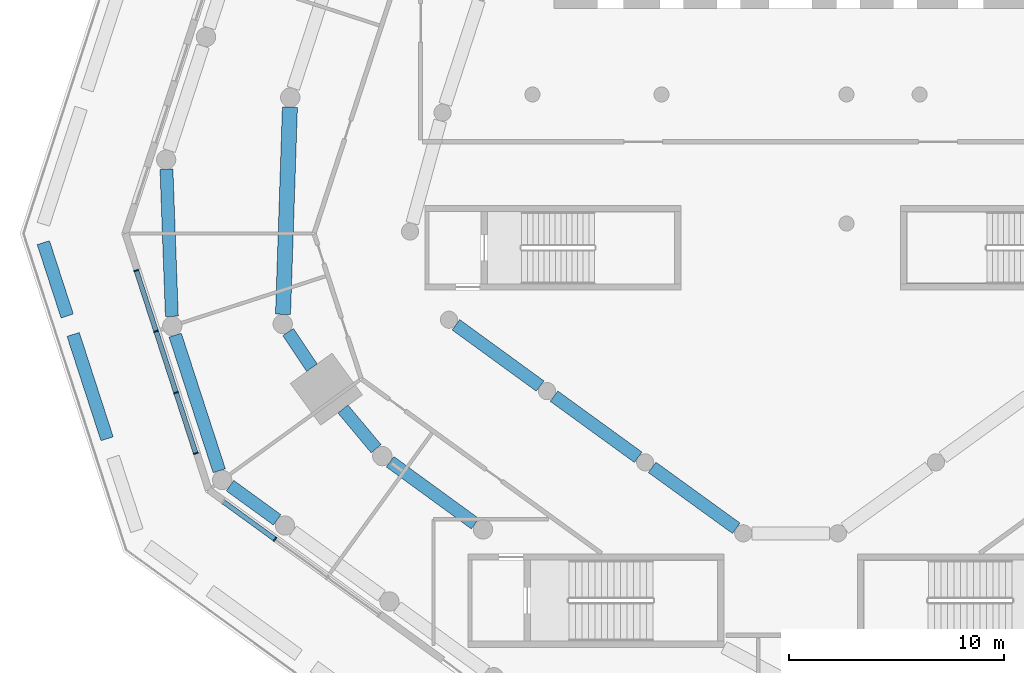
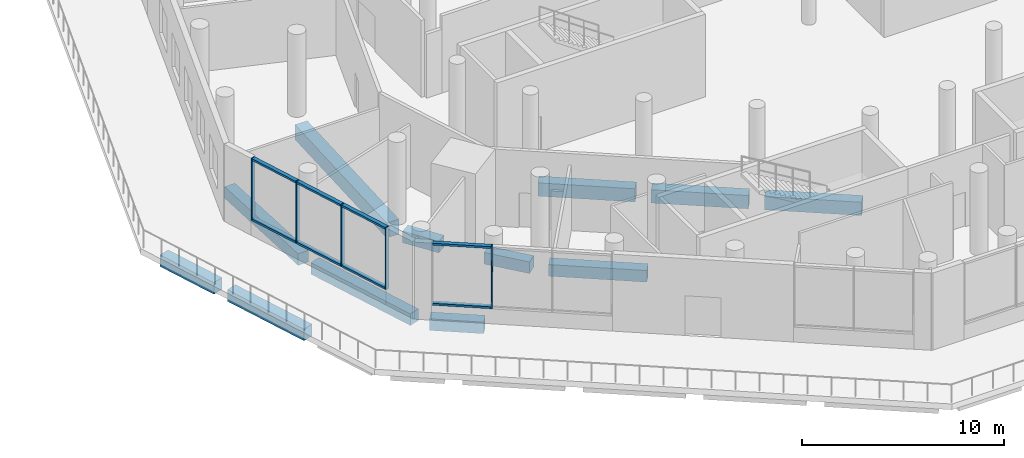
# One storey, part 3 of 19: 13 members, 12 beams, 2 elements without a shape of their own.
"""IFC4 building model written with IfcOpenShell, lengths in metres."""

import ifcopenshell
import ifcopenshell.guid

model = None  # the IFC model being written
_history = None  # IfcOwnerHistory: only IFC2X3 demands one
_inside = {}  # id of a spatial element -> (the spatial element, [elements in it])
_under = {}  # id of a project, library or spatial element -> (it, [spatial elements below it])
_declared = {}  # id of a project -> (the project, [libraries it declares])
_typed = {}  # id of a type object -> (the type object, [elements of that type])
_made_of = {}  # id of a material, layer set ... -> (it, [elements and type objects made of it])


def new_model(schema):
    """Start an empty IFC model of exactly this schema.

    Asked for "IFC4X3", IfcOpenShell would pick the latest addendum, in which some entities
    have other attributes; the version numbers below select the first issue.
    IFC2X3 requires an IfcOwnerHistory on every rooted entity: one is made here for all.
    """
    global model, _history
    if schema == "IFC4X3":
        model = ifcopenshell.file(schema_version=(4, 3, 0, 0))
    else:
        model = ifcopenshell.file(schema=schema)
    _inside.clear()
    _under.clear()
    _declared.clear()
    _typed.clear()
    _made_of.clear()
    _history = None
    if model.schema == "IFC2X3":
        org = make("IfcOrganization", Name="unknown")
        user = make(
            "IfcPersonAndOrganization",
            ThePerson=make("IfcPerson", FamilyName="unknown"),
            TheOrganization=org,
        )
        app = make(
            "IfcApplication",
            ApplicationDeveloper=org,
            Version="unknown",
            ApplicationFullName="unknown",
            ApplicationIdentifier="unknown",
        )
        _history = make(
            "IfcOwnerHistory",
            OwningUser=user,
            OwningApplication=app,
            ChangeAction="ADDED",
            CreationDate=0,
        )
    return model


def make(cls, **values):
    """One entity of the class cls with the attributes given. An attribute that is None is left unset."""
    return model.create_entity(
        cls, **{name: value for name, value in values.items() if value is not None}
    )


def rooted(cls, **values):
    """An entity with a GlobalId (a new one), such as an element, a storey or a relation."""
    return make(cls, GlobalId=ifcopenshell.guid.new(), OwnerHistory=_history, **values)


def si_unit(unit_type, name, prefix=None):
    """IfcSIUnit, for example si_unit("LENGTHUNIT", "METRE", prefix="MILLI")."""
    return make("IfcSIUnit", UnitType=unit_type, Prefix=prefix, Name=name)


def assignment(units):
    """IfcUnitAssignment: the units of a project."""
    return None if units is None else make("IfcUnitAssignment", Units=units)


def point(xyz):
    """IfcCartesianPoint."""
    return None if xyz is None else make("IfcCartesianPoint", Coordinates=xyz)


def direction(xyz):
    """IfcDirection."""
    return None if xyz is None else make("IfcDirection", DirectionRatios=xyz)


def frame(location, z_axis=None, x_axis=None):
    """IfcAxis2Placement3D, a coordinate frame: its origin and axes. An axis left out is left unset."""
    return make(
        "IfcAxis2Placement3D",
        Location=point(location),
        Axis=direction(z_axis),
        RefDirection=direction(x_axis),
    )


def frame_2d(location, x_axis=None):
    """IfcAxis2Placement2D, a coordinate frame in the plane: its origin and x axis."""
    return make(
        "IfcAxis2Placement2D", Location=point(location), RefDirection=direction(x_axis)
    )


def origin():
    """The frame at (0, 0, 0) with its axes left unset."""
    return frame((0.0, 0.0, 0.0))


def origin_2d():
    """The frame at (0, 0) in the plane with its x axis left unset."""
    return frame_2d((0.0, 0.0))


def place(relative_to, where):
    """IfcLocalPlacement: puts the frame where relative to a parent placement (None: the world)."""
    return make(
        "IfcLocalPlacement", PlacementRelTo=relative_to, RelativePlacement=where
    )


def context(
    kind, dimensions, precision=None, world=None, true_north=None, identifier=None
):
    """IfcGeometricRepresentationContext, for example the 3D "Model" context."""
    return make(
        "IfcGeometricRepresentationContext",
        ContextIdentifier=identifier,
        ContextType=kind,
        CoordinateSpaceDimension=dimensions,
        Precision=precision,
        WorldCoordinateSystem=world,
        TrueNorth=true_north,
    )


def subcontext(parent, identifier, kind, view, scale=None):
    """IfcGeometricRepresentationSubContext, for example "Body" below "Model"."""
    return make(
        "IfcGeometricRepresentationSubContext",
        ContextIdentifier=identifier,
        ContextType=kind,
        ParentContext=parent,
        TargetScale=scale,
        TargetView=view,
    )


def project(units=None, contexts=None):
    """IfcProject with its units and contexts."""
    return rooted(
        "IfcProject",
        Name="project",
        RepresentationContexts=contexts,
        UnitsInContext=assignment(units),
    )


def spatial(cls, under=None, at=None, **own):
    """A site, building, storey or space (cls), placed at a placement, below another one or the project."""
    s = rooted(cls, ObjectPlacement=at, **own)
    if under is not None:
        _under.setdefault(under.id(), (under, []))[1].append(s)
    return s


def profile(cls, at=None, kind="AREA", **sizes):
    """A parametric profile (cls). Its sizes go by their IFC names, for example OverallWidth=200.0."""
    return make(cls, ProfileType=kind, Position=at, **sizes)


def rectangle(**sizes):
    """IfcRectangleProfileDef."""
    return profile("IfcRectangleProfileDef", **sizes)


def extrude(swept, where, along, depth):
    """IfcExtrudedAreaSolid: the profile swept, set in the frame where, extruded along a direction by depth."""
    return make(
        "IfcExtrudedAreaSolid",
        SweptArea=swept,
        Position=where,
        ExtrudedDirection=direction(along),
        Depth=depth,
    )


def shape(context_of_items, identifier, shape_type, items):
    """IfcShapeRepresentation: the items that make up one representation, for example the "Body"."""
    return make(
        "IfcShapeRepresentation",
        ContextOfItems=context_of_items,
        RepresentationIdentifier=identifier,
        RepresentationType=shape_type,
        Items=items,
    )


def material(Name=None, Category=None):
    """IfcMaterial."""
    return make("IfcMaterial", Name=Name, Category=Category)


def material_profile(
    of_material, cross_section, Name=None, Category=None, Priority=None
):
    """IfcMaterialProfile: a cross section and its material."""
    return make(
        "IfcMaterialProfile",
        Name=Name,
        Material=of_material,
        Profile=cross_section,
        Priority=Priority,
        Category=Category,
    )


def profile_set(profiles, Name=None, composite=None):
    """IfcMaterialProfileSet."""
    return make(
        "IfcMaterialProfileSet",
        Name=Name,
        MaterialProfiles=profiles,
        CompositeProfile=composite,
    )


def made_of(thing, what):
    """Note that an element or type object is made of a material, layer set ...; save() writes the relation."""
    if what is not None:
        _made_of.setdefault(what.id(), (what, []))[1].append(thing)
    return thing


def type_object(cls, material=None, **own):
    """A type object (cls), such as IfcWallType, which elements share."""
    return made_of(rooted(cls, **own), material)


def element(
    cls,
    number,
    at=None,
    inside=None,
    cuts=None,
    type_object=None,
    material=None,
    context=None,
    identifier="Body",
    shape_type=None,
    held_by="IfcProductDefinitionShape",
    body=None,
    shapes=None,
    **own,
):
    """One element of the class cls, such as IfcWall. Its Tag is "e" and its number.

    at: its placement. inside: the storey or other place that contains it. cuts: it is an
    opening in that element (IfcRelVoidsElement). A single representation is given by context,
    identifier, shape_type and body (its items); several are given by shapes. held_by: the class
    of the entity that holds the representations. save() writes the other relations.
    """
    e = rooted(cls, Tag="e%d" % number, ObjectPlacement=at, **own)
    if body is not None:
        shapes = [shape(context, identifier, shape_type, body)]
    if shapes is not None:
        e.Representation = make(held_by, Representations=shapes)
    if inside is not None:
        _inside.setdefault(inside.id(), (inside, []))[1].append(e)
    if cuts is not None:
        rooted(
            "IfcRelVoidsElement", RelatingBuildingElement=cuts, RelatedOpeningElement=e
        )
    if type_object is not None:
        _typed.setdefault(type_object.id(), (type_object, []))[1].append(e)
    return made_of(e, material)


def aggregate(whole, parts):
    """IfcRelAggregates: a whole, such as a stair, and the parts it consists of."""
    return rooted("IfcRelAggregates", RelatingObject=whole, RelatedObjects=parts)


def save(model, path):
    """Write the relations noted so far, then the file.

    IfcRelAggregates (storeys below a building ...), IfcRelContainedInSpatialStructure (elements
    in a storey), IfcRelDefinesByType, IfcRelAssociatesMaterial and IfcRelDeclares: one each for
    every whole, place, type object, material and project.
    """
    for whole, parts in _under.values():
        aggregate(whole, parts)
    for where, things in _inside.values():
        rooted(
            "IfcRelContainedInSpatialStructure",
            RelatedElements=things,
            RelatingStructure=where,
        )
    for kind, things in _typed.values():
        rooted("IfcRelDefinesByType", RelatedObjects=things, RelatingType=kind)
    for what, things in _made_of.values():
        rooted("IfcRelAssociatesMaterial", RelatedObjects=things, RelatingMaterial=what)
    for by, libraries in _declared.values():
        rooted("IfcRelDeclares", RelatingContext=by, RelatedDefinitions=libraries)
    model.write(path)


model = new_model("IFC4")

# Units and contexts
model_context = context("Model", 3, precision=1e-05, world=origin(), true_north=direction((0.0, 1.0)))
body_context = subcontext(model_context, "Body", "Model", "MODEL_VIEW")
ifc_project = project(units=[si_unit("LENGTHUNIT", "METRE"), si_unit("AREAUNIT", "SQUARE_METRE"), si_unit("VOLUMEUNIT", "CUBIC_METRE"), si_unit("PLANEANGLEUNIT", "RADIAN"), si_unit("MASSUNIT", "GRAM", prefix="KILO")], contexts=[model_context])

# Site, building, storey
site_placement = place(None, origin())
site = spatial("IfcSite", under=ifc_project, at=site_placement, CompositionType="ELEMENT")
building_placement = place(site_placement, origin())
building = spatial("IfcBuilding", under=site, at=building_placement, Name="White Candle Pilgrim Tower", CompositionType="ELEMENT")
storey_placement = place(building_placement, frame((0.0, 0.0, 29.0)))
storey = spatial("IfcBuildingStorey", under=building, at=storey_placement, Name="L04", CompositionType="ELEMENT", Elevation=29.0)

# Curtain wall, members
ifc_material_1 = material(Name="Aluminium and glass", Category="aluminium")
curtain_wall_type = type_object("IfcCurtainWallType", Name="Curtain wall CW3 refectory and meeting glazing", PredefinedType="NOTDEFINED", material=ifc_material_1)
curtain_wall_1_placement = place(storey_placement, origin())
curtain_wall_1 = element("IfcCurtainWall", 1, at=curtain_wall_1_placement, inside=storey, type_object=curtain_wall_type, Name="Curtain wall CW3 L04 W chamfer", PredefinedType="NOTDEFINED")
ifc_material_2 = material(Name="Aluminium", Category="aluminium")
ifc_material_profile_1 = material_profile(ifc_material_2, rectangle(XDim=0.22509765625, YDim=0.06005859375, at=origin_2d()), Name="CW3 mullion 60x225")
ifc_profile_set_1 = profile_set([ifc_material_profile_1], Name="Aluminium")
member_type_1 = type_object("IfcMemberType", Name="CW3 mullion 60x225", PredefinedType="MULLION", material=ifc_profile_set_1)
member_1_placement = place(storey_placement, frame((39.58642578125, 58.818115234375, 0.89990234375), z_axis=(0.0, 0.0, 1.0), x_axis=(0.951056528258, 0.309016957558, 0.0)))
member_1 = element("IfcMember", 2, at=member_1_placement, type_object=member_type_1, Name="CW3 mullion 1", PredefinedType="MULLION", context=body_context, shape_type="SweptSolid", body=[
    extrude(rectangle(XDim=0.22509765625, YDim=0.06005859375, at=origin_2d()), origin(), (0.0, 0.0, 1.0), 3.75),
])
member_2_placement = place(storey_placement, frame((40.504150390625, 55.993408203125, 0.89990234375), z_axis=(0.0, 0.0, 1.0), x_axis=(0.951056528258, 0.309016957558, 0.0)))
member_2 = element("IfcMember", 3, at=member_2_placement, type_object=member_type_1, Name="CW3 mullion 2", PredefinedType="MULLION", context=body_context, shape_type="SweptSolid", body=[
    extrude(rectangle(XDim=0.22509765625, YDim=0.06005859375, at=origin_2d()), origin(), (0.0, 0.0, 1.0), 3.75),
])
member_3_placement = place(storey_placement, frame((41.43115234375, 53.14013671875, 0.89990234375), z_axis=(0.0, 0.0, 1.0), x_axis=(0.951056528258, 0.309016957558, 0.0)))
member_3 = element("IfcMember", 4, at=member_3_placement, type_object=member_type_1, Name="CW3 mullion 3", PredefinedType="MULLION", context=body_context, shape_type="SweptSolid", body=[
    extrude(rectangle(XDim=0.22509765625, YDim=0.06005859375, at=origin_2d()), origin(), (0.0, 0.0, 1.0), 3.75),
])
member_4_placement = place(storey_placement, frame((42.348876953125, 50.315673828125, 0.89990234375), z_axis=(0.0, 0.0, 1.0), x_axis=(0.951056528258, 0.309016957558, 0.0)))
member_4 = element("IfcMember", 5, at=member_4_placement, type_object=member_type_1, Name="CW3 mullion 4", PredefinedType="MULLION", context=body_context, shape_type="SweptSolid", body=[
    extrude(rectangle(XDim=0.22509765625, YDim=0.06005859375, at=origin_2d()), origin(), (0.0, 0.0, 1.0), 3.75),
])

# Curtain wall, member
curtain_wall_2_placement = place(storey_placement, origin())
curtain_wall_2 = element("IfcCurtainWall", 6, at=curtain_wall_2_placement, inside=storey, type_object=curtain_wall_type, Name="Curtain wall CW3 L04 SW", PredefinedType="NOTDEFINED")
member_5_placement = place(storey_placement, frame((46.033203125, 46.32421875, 0.89990234375), z_axis=(0.0, 0.0, 1.0), x_axis=(0.587785250217, 0.809016995883, 0.0)))
member_5 = element("IfcMember", 7, at=member_5_placement, type_object=member_type_1, Name="CW3 mullion 2", PredefinedType="MULLION", context=body_context, shape_type="SweptSolid", body=[
    extrude(rectangle(XDim=0.22509765625, YDim=0.06005859375, at=origin_2d()), origin(), (0.0, 0.0, 1.0), 3.75),
])

# Member
ifc_material_profile_2 = material_profile(ifc_material_2, rectangle(XDim=0.22509765625, YDim=0.1201171875, at=origin_2d()), Name="CW3 transom 120x225")
ifc_profile_set_2 = profile_set([ifc_material_profile_2], Name="Aluminium")
member_type_2 = type_object("IfcMemberType", Name="CW3 transom 120x225", PredefinedType="USERDEFINED", material=ifc_profile_set_2)
member_6_placement = place(storey_placement, frame((39.595703125, 58.78955078125, 0.9599609375), z_axis=(0.308995011864, -0.951063658565, 0.0), x_axis=(0.951063658565, 0.308995011864, 0.0)))
member_6 = element("IfcMember", 8, at=member_6_placement, type_object=member_type_2, Name="CW3 transom 1.1", ObjectType="TRANSOM", PredefinedType="USERDEFINED", context=body_context, shape_type="SweptSolid", body=[
    extrude(rectangle(XDim=0.22509765625, YDim=0.1201171875, at=origin_2d()), origin(), (0.0, 0.0, 1.0), 2.909912109375),
])

member_7_placement = place(storey_placement, frame((39.595703125, 58.78955078125, 4.590087890625), z_axis=(0.308995011864, -0.951063658565, 0.0), x_axis=(0.951063658565, 0.308995011864, 0.0)))
member_7 = element("IfcMember", 9, at=member_7_placement, type_object=member_type_2, Name="CW3 transom 1.2", ObjectType="TRANSOM", PredefinedType="USERDEFINED", context=body_context, shape_type="SweptSolid", body=[
    extrude(rectangle(XDim=0.22509765625, YDim=0.1201171875, at=origin_2d()), origin(), (0.0, 0.0, 1.0), 2.909912109375),
])

member_8_placement = place(storey_placement, frame((40.513427734375, 55.96484375, 0.9599609375), z_axis=(0.30899406435, -0.951063966406, 0.0), x_axis=(0.951063966406, 0.30899406435, 0.0)))
member_8 = element("IfcMember", 10, at=member_8_placement, type_object=member_type_2, Name="CW3 transom 2.1", ObjectType="TRANSOM", PredefinedType="USERDEFINED", context=body_context, shape_type="SweptSolid", body=[
    extrude(rectangle(XDim=0.22509765625, YDim=0.1201171875, at=origin_2d()), origin(), (0.0, 0.0, 1.0), 2.93994140625),
])

member_9_placement = place(storey_placement, frame((40.513427734375, 55.96484375, 4.590087890625), z_axis=(0.30899406435, -0.951063966406, 0.0), x_axis=(0.951063966406, 0.30899406435, 0.0)))
member_9 = element("IfcMember", 11, at=member_9_placement, type_object=member_type_2, Name="CW3 transom 2.2", ObjectType="TRANSOM", PredefinedType="USERDEFINED", context=body_context, shape_type="SweptSolid", body=[
    extrude(rectangle(XDim=0.22509765625, YDim=0.1201171875, at=origin_2d()), origin(), (0.0, 0.0, 1.0), 2.93994140625),
])

member_10_placement = place(storey_placement, frame((41.4404296875, 53.11181640625, 0.9599609375), z_axis=(0.308995011864, -0.951063658565, 0.0), x_axis=(0.951063658565, 0.308995011864, 0.0)))
member_10 = element("IfcMember", 12, at=member_10_placement, type_object=member_type_2, Name="CW3 transom 3.1", ObjectType="TRANSOM", PredefinedType="USERDEFINED", context=body_context, shape_type="SweptSolid", body=[
    extrude(rectangle(XDim=0.22509765625, YDim=0.1201171875, at=origin_2d()), origin(), (0.0, 0.0, 1.0), 2.909912109375),
])

member_11_placement = place(storey_placement, frame((41.4404296875, 53.11181640625, 4.590087890625), z_axis=(0.308995011864, -0.951063658565, 0.0), x_axis=(0.951063658565, 0.308995011864, 0.0)))
member_11 = element("IfcMember", 13, at=member_11_placement, type_object=member_type_2, Name="CW3 transom 3.2", ObjectType="TRANSOM", PredefinedType="USERDEFINED", context=body_context, shape_type="SweptSolid", body=[
    extrude(rectangle(XDim=0.22509765625, YDim=0.1201171875, at=origin_2d()), origin(), (0.0, 0.0, 1.0), 2.909912109375),
])

aggregate(curtain_wall_1, [member_1, member_2, member_3, member_4, member_6, member_7, member_8, member_9, member_10, member_11])

member_12_placement = place(storey_placement, frame((43.654541015625, 48.05224609375, 0.9599609375), z_axis=(0.809018973085, -0.587782528822, 0.0), x_axis=(0.587782528822, 0.809018973085, 0.0)))
member_12 = element("IfcMember", 14, at=member_12_placement, type_object=member_type_2, Name="CW3 transom 1.1", ObjectType="TRANSOM", PredefinedType="USERDEFINED", context=body_context, shape_type="SweptSolid", body=[
    extrude(rectangle(XDim=0.22509765625, YDim=0.1201171875, at=origin_2d()), origin(), (0.0, 0.0, 1.0), 2.909912109375),
])

member_13_placement = place(storey_placement, frame((43.654541015625, 48.05224609375, 4.590087890625), z_axis=(0.809018973085, -0.587782528822, 0.0), x_axis=(0.587782528822, 0.809018973085, 0.0)))
member_13 = element("IfcMember", 15, at=member_13_placement, type_object=member_type_2, Name="CW3 transom 1.2", ObjectType="TRANSOM", PredefinedType="USERDEFINED", context=body_context, shape_type="SweptSolid", body=[
    extrude(rectangle(XDim=0.22509765625, YDim=0.1201171875, at=origin_2d()), origin(), (0.0, 0.0, 1.0), 2.909912109375),
])

aggregate(curtain_wall_2, [member_5, member_12, member_13])

# Beams
ifc_material_3 = material(Name="Concrete C50/60", Category="concrete")
ifc_material_profile_3 = material_profile(ifc_material_3, rectangle(XDim=0.60009765625, YDim=0.800048828125, at=origin_2d()), Name="RC-BM 600x800")
ifc_profile_set_3 = profile_set([ifc_material_profile_3], Name="Concrete C50/60")
beam_type_1 = type_object("IfcBeamType", Name="Ring beam RC-BM 600x800 C50/60", PredefinedType="BEAM", material=ifc_profile_set_3)
beam_1_placement = place(storey_placement, frame((54.443115234375, 56.294677734375, -0.75), z_axis=(0.808428473545, -0.588594430115, 0.0), x_axis=(0.588594430115, 0.808428473545, 0.0)))
element("IfcBeam", 16, at=beam_1_placement, inside=storey, type_object=beam_type_1, Name="L04 ring beam R01", PredefinedType="BEAM", context=body_context, shape_type="SweptSolid", body=[
    extrude(rectangle(XDim=0.60009765625, YDim=0.800048828125, at=origin_2d()), origin(), (0.0, 0.0, 1.0), 4.841064453125),
])
beam_2_placement = place(storey_placement, frame((59.00341796875, 52.97509765625, -0.75), z_axis=(0.809305595912, -0.587387821141, 0.0), x_axis=(0.587387821141, 0.809305595912, 0.0)))
element("IfcBeam", 17, at=beam_2_placement, inside=storey, type_object=beam_type_1, Name="L04 ring beam R02", PredefinedType="BEAM", context=body_context, shape_type="SweptSolid", body=[
    extrude(rectangle(XDim=0.60009765625, YDim=0.800048828125, at=origin_2d()), origin(), (0.0, 0.0, 1.0), 4.835205078125),
])
beam_3_placement = place(storey_placement, frame((63.56396484375, 49.66552734375, -0.75), z_axis=(0.810124276712, -0.586258182273, 0.0), x_axis=(0.586258182273, 0.810124276712, 0.0)))
element("IfcBeam", 18, at=beam_3_placement, inside=storey, type_object=beam_type_1, Name="L04 ring beam R03", PredefinedType="BEAM", context=body_context, shape_type="SweptSolid", body=[
    extrude(rectangle(XDim=0.60009765625, YDim=0.800048828125, at=origin_2d()), origin(), (0.0, 0.0, 1.0), 4.8291015625),
])
ifc_material_profile_4 = material_profile(ifc_material_3, rectangle(XDim=0.60009765625, YDim=0.699951171875, at=origin_2d()), Name="RC-BM 600x700")
ifc_profile_set_4 = profile_set([ifc_material_profile_4], Name="Concrete C50/60")
beam_type_2 = type_object("IfcBeamType", Name="Spandrel beam RC-BM 600x700 C50/60", PredefinedType="BEAM", material=ifc_profile_set_4)
beam_4_placement = place(storey_placement, frame((46.640380859375, 55.956298828125, -0.699951171875), z_axis=(0.556617573138, -0.830768847077, 0.0), x_axis=(0.830768847077, 0.556617573138, 0.0)))
element("IfcBeam", 19, at=beam_4_placement, inside=storey, type_object=beam_type_2, Name="L04 spandrel beam T01", PredefinedType="BEAM", context=body_context, shape_type="SweptSolid", body=[
    extrude(rectangle(XDim=0.60009765625, YDim=0.699951171875, at=origin_2d()), origin(), (0.0, 0.0, 1.0), 1.99658203125),
])
beam_5_placement = place(storey_placement, frame((49.19140625, 52.377197265625, -0.699951171875), z_axis=(0.641413771477, -0.767195134083, 0.0), x_axis=(0.767195134083, 0.641413771477, 0.0)))
element("IfcBeam", 20, at=beam_5_placement, inside=storey, type_object=beam_type_2, Name="L04 spandrel beam T02", PredefinedType="BEAM", context=body_context, shape_type="SweptSolid", body=[
    extrude(rectangle(XDim=0.60009765625, YDim=0.699951171875, at=origin_2d()), origin(), (0.0, 0.0, 1.0), 2.401123046875),
])
beam_6_placement = place(storey_placement, frame((51.383544921875, 49.925048828125, -0.699951171875), z_axis=(0.808219865497, -0.588880844498, 0.0), x_axis=(0.588880844498, 0.808219865497, 0.0)))
element("IfcBeam", 21, at=beam_6_placement, inside=storey, type_object=beam_type_2, Name="L04 spandrel beam T03", PredefinedType="BEAM", context=body_context, shape_type="SweptSolid", body=[
    extrude(rectangle(XDim=0.60009765625, YDim=0.699951171875, at=origin_2d()), origin(), (0.0, 0.0, 1.0), 4.890869140625),
])
beam_7_placement = place(storey_placement, frame((35.262939453125, 60.111083984375, -0.699951171875), z_axis=(0.309029111375, -0.951052579158, 0.0), x_axis=(0.951052579158, 0.309029111375, 0.0)))
element("IfcBeam", 22, at=beam_7_placement, inside=storey, type_object=beam_type_2, Name="L04 spandrel beam B01", PredefinedType="BEAM", context=body_context, shape_type="SweptSolid", body=[
    extrude(rectangle(XDim=0.60009765625, YDim=0.699951171875, at=origin_2d()), origin(), (0.0, 0.0, 1.0), 3.5859375),
])
beam_8_placement = place(storey_placement, frame((36.64892578125, 55.84521484375, -0.699951171875), z_axis=(0.308996245399, -0.951063257796, 0.0), x_axis=(0.951063257796, 0.308996245399, 0.0)))
element("IfcBeam", 23, at=beam_8_placement, inside=storey, type_object=beam_type_2, Name="L04 spandrel beam B02", PredefinedType="BEAM", context=body_context, shape_type="SweptSolid", body=[
    extrude(rectangle(XDim=0.60009765625, YDim=0.699951171875, at=origin_2d()), origin(), (0.0, 0.0, 1.0), 5.100830078125),
])
beam_9_placement = place(storey_placement, frame((41.39208984375, 55.80908203125, -0.699951171875), z_axis=(0.308987736587, -0.951066022229, 0.0), x_axis=(0.951066022229, 0.308987736587, 0.0)))
element("IfcBeam", 24, at=beam_9_placement, inside=storey, type_object=beam_type_2, Name="L04 spandrel beam C01", PredefinedType="BEAM", context=body_context, shape_type="SweptSolid", body=[
    extrude(rectangle(XDim=0.60009765625, YDim=0.699951171875, at=origin_2d()), origin(), (0.0, 0.0, 1.0), 6.62451171875),
])
beam_10_placement = place(storey_placement, frame((43.94189453125, 48.816650390625, -0.699951171875), z_axis=(0.809008975915, -0.587796288598, 0.0), x_axis=(0.587796288598, 0.809008975915, 0.0)))
element("IfcBeam", 25, at=beam_10_placement, inside=storey, type_object=beam_type_2, Name="L04 spandrel beam C02", PredefinedType="BEAM", context=body_context, shape_type="SweptSolid", body=[
    extrude(rectangle(XDim=0.60009765625, YDim=0.699951171875, at=origin_2d()), origin(), (0.0, 0.0, 1.0), 2.707275390625),
])
beam_11_placement = place(storey_placement, frame((40.986572265625, 63.51953125, -0.699951171875), z_axis=(0.036562645264, -0.999331362948, 0.0), x_axis=(0.999331362948, 0.036562645264, 0.0)))
element("IfcBeam", 26, at=beam_11_placement, inside=storey, type_object=beam_type_2, Name="L04 spandrel beam C24", PredefinedType="BEAM", context=body_context, shape_type="SweptSolid", body=[
    extrude(rectangle(XDim=0.60009765625, YDim=0.699951171875, at=origin_2d()), origin(), (0.0, 0.0, 1.0), 6.837646484375),
])
ifc_material_profile_5 = material_profile(ifc_material_3, rectangle(XDim=0.699951171875, YDim=0.89990234375, at=origin_2d()), Name="RC-BM 700x900")
ifc_profile_set_5 = profile_set([ifc_material_profile_5], Name="Concrete C50/60")
beam_type_3 = type_object("IfcBeamType", Name="Spandrel beam RC-BM 700x900 C50/60", PredefinedType="BEAM", material=ifc_profile_set_5)
beam_12_placement = place(storey_placement, frame((46.72509765625, 66.410400390625, -0.800048828125), z_axis=(-0.033240594223, -0.999447378753, 0.0), x_axis=(0.999447378753, -0.033240594223, 0.0)))
element("IfcBeam", 27, at=beam_12_placement, inside=storey, type_object=beam_type_3, Name="L04 spandrel beam T14", PredefinedType="BEAM", context=body_context, shape_type="SweptSolid", body=[
    extrude(rectangle(XDim=0.699951171875, YDim=0.89990234375, at=origin_2d()), origin(), (0.0, 0.0, 1.0), 9.63623046875),
])

save(model, "model.ifc")
